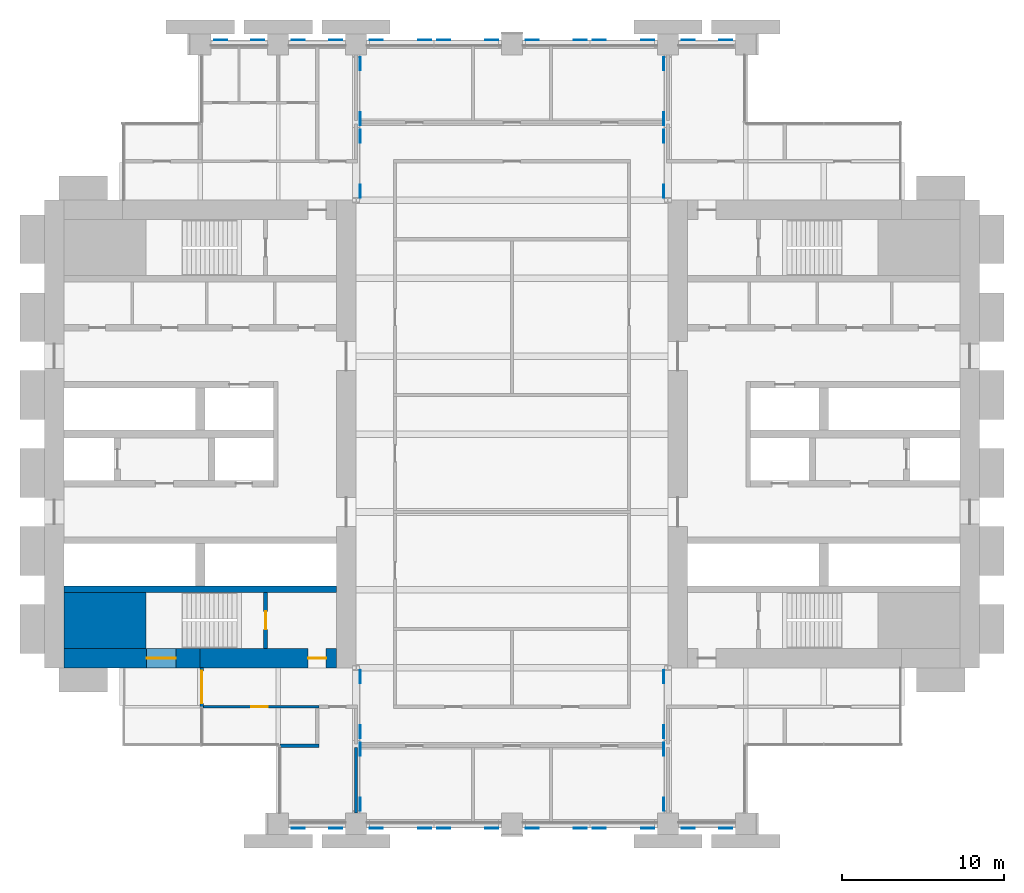
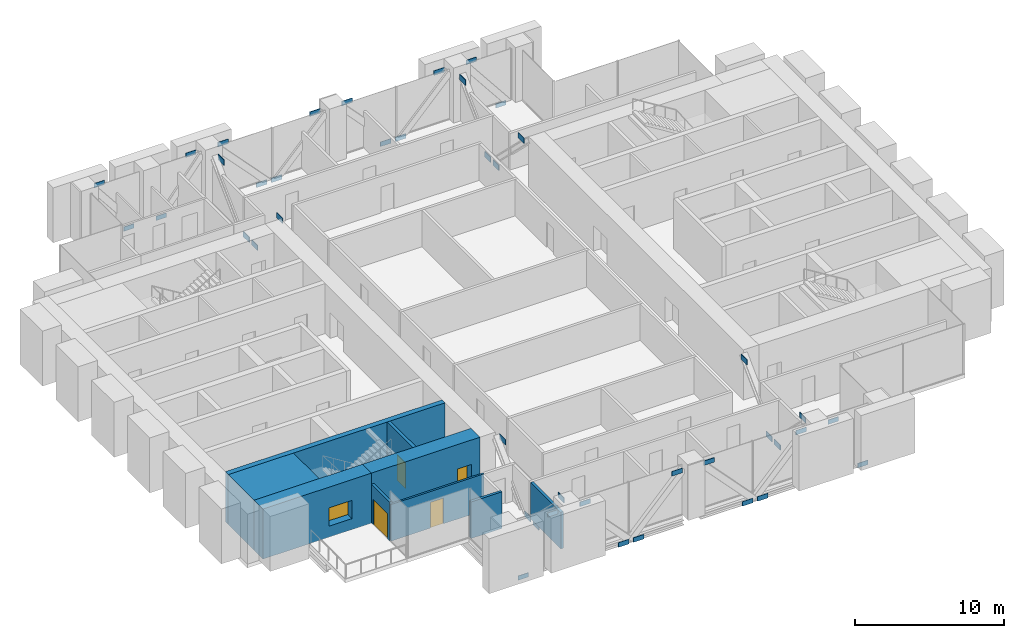
# One storey, part 10 of 15: 42 plates, 9 walls, 4 doors, 1 window, 5 openings.
"""IFC4 building model written with IfcOpenShell, lengths in metres."""

from ifc_helpers import new_model, si_unit, direction, frame, frame_2d, origin, place, context, subcontext, project, spatial, polyline, rectangle, outline, extrude, material, layer, layer_set, type_object, element, fill, save


model = new_model("IFC4")

# Units and contexts
model_context = context("Model", 3, precision=1e-05, world=origin(), true_north=direction((0.0, 1.0)))
body_context = subcontext(model_context, "Body", "Model", "MODEL_VIEW")
ifc_project = project(units=[si_unit("LENGTHUNIT", "METRE"), si_unit("AREAUNIT", "SQUARE_METRE"), si_unit("VOLUMEUNIT", "CUBIC_METRE"), si_unit("PLANEANGLEUNIT", "RADIAN"), si_unit("MASSUNIT", "GRAM", prefix="KILO")], contexts=[model_context])

# Site, building, storey
site_placement = place(None, origin())
site = spatial("IfcSite", under=ifc_project, at=site_placement, CompositionType="ELEMENT")
building_placement = place(site_placement, origin())
building = spatial("IfcBuilding", under=site, at=building_placement, Name="Baori Bourse Tower", CompositionType="ELEMENT")
storey_placement = place(building_placement, frame((0.0, 0.0, 87.0)))
storey = spatial("IfcBuildingStorey", under=building, at=storey_placement, Name="L19", CompositionType="ELEMENT", Elevation=87.0)

# Plates
ifc_material_1 = material(Name="Steel A572 Gr 50", Category="steel")
ifc_layer_1 = layer(ifc_material_1, 0.0400390625)
ifc_layer_set_1 = layer_set([ifc_layer_1], Name="Gusset plate 40")
plate_type_1 = type_object("IfcPlateType", Name="Gusset plate 40", PredefinedType="SHEET", material=ifc_layer_set_1)
plate_1_placement = place(storey_placement, frame((0.0, 0.0, -0.657470703125)))
element("IfcPlate", 1, at=plate_1_placement, inside=storey, type_object=plate_type_1, Name="Gusset plate", PredefinedType="SHEET", context=body_context, shape_type="SweptSolid", body=[
    extrude(outline(polyline([(15.248779296875, -0.2939453125), (16.048828125, -0.2939453125), (16.048828125, -0.25390625), (15.248779296875, -0.25390625), (15.248779296875, -0.2939453125)])), origin(), (0.0, 0.0, 1.0), 0.357421875),
])
plate_2_placement = place(storey_placement, frame((0.0, 0.0, 3.701171875)))
element("IfcPlate", 2, at=plate_2_placement, inside=storey, type_object=plate_type_1, Name="Gusset plate", PredefinedType="SHEET", context=body_context, shape_type="SweptSolid", body=[
    extrude(outline(polyline([(17.55126953125, -0.2939453125), (18.351318359375, -0.2939453125), (18.351318359375, -0.25390625), (17.55126953125, -0.25390625), (17.55126953125, -0.2939453125)])), origin(), (0.0, 0.0, 1.0), 0.357666015625),
])
plate_3_placement = place(storey_placement, frame((0.0, 0.0, 3.701171875)))
element("IfcPlate", 3, at=plate_3_placement, inside=storey, type_object=plate_type_1, Name="Gusset plate", PredefinedType="SHEET", context=body_context, shape_type="SweptSolid", body=[
    extrude(outline(polyline([(20.03466796875, -0.2939453125), (20.834716796875, -0.2939453125), (20.834716796875, -0.25390625), (20.03466796875, -0.25390625), (20.03466796875, -0.2939453125)])), origin(), (0.0, 0.0, 1.0), 0.373779296875),
])
plate_4_placement = place(storey_placement, frame((0.0, 0.0, -0.673583984375)))
element("IfcPlate", 4, at=plate_4_placement, inside=storey, type_object=plate_type_1, Name="Gusset plate", PredefinedType="SHEET", context=body_context, shape_type="SweptSolid", body=[
    extrude(outline(polyline([(23.01513671875, -0.2939453125), (23.815185546875, -0.2939453125), (23.815185546875, -0.25390625), (23.01513671875, -0.25390625), (23.01513671875, -0.2939453125)])), origin(), (0.0, 0.0, 1.0), 0.37353515625),
])
plate_5_placement = place(storey_placement, frame((0.0, 0.0, -0.673583984375)))
element("IfcPlate", 5, at=plate_5_placement, inside=storey, type_object=plate_type_1, Name="Gusset plate", PredefinedType="SHEET", context=body_context, shape_type="SweptSolid", body=[
    extrude(outline(polyline([(24.184814453125, -0.2939453125), (24.98486328125, -0.2939453125), (24.98486328125, -0.25390625), (24.184814453125, -0.25390625), (24.184814453125, -0.2939453125)])), origin(), (0.0, 0.0, 1.0), 0.37353515625),
])
plate_6_placement = place(storey_placement, frame((0.0, 0.0, 3.701171875)))
element("IfcPlate", 6, at=plate_6_placement, inside=storey, type_object=plate_type_1, Name="Gusset plate", PredefinedType="SHEET", context=body_context, shape_type="SweptSolid", body=[
    extrude(outline(polyline([(27.165283203125, -0.2939453125), (27.96533203125, -0.2939453125), (27.96533203125, -0.25390625), (27.165283203125, -0.25390625), (27.165283203125, -0.2939453125)])), origin(), (0.0, 0.0, 1.0), 0.373779296875),
])
plate_7_placement = place(storey_placement, frame((0.0, 0.0, 3.701171875)))
element("IfcPlate", 7, at=plate_7_placement, inside=storey, type_object=plate_type_1, Name="Gusset plate", PredefinedType="SHEET", context=body_context, shape_type="SweptSolid", body=[
    extrude(outline(polyline([(29.634765625, -0.2939453125), (30.434814453125, -0.2939453125), (30.434814453125, -0.25390625), (29.634765625, -0.25390625), (29.634765625, -0.2939453125)])), origin(), (0.0, 0.0, 1.0), 0.373779296875),
])
plate_8_placement = place(storey_placement, frame((0.0, 0.0, -0.673583984375)))
element("IfcPlate", 8, at=plate_8_placement, inside=storey, type_object=plate_type_1, Name="Gusset plate", PredefinedType="SHEET", context=body_context, shape_type="SweptSolid", body=[
    extrude(outline(polyline([(32.615234375, -0.2939453125), (33.415283203125, -0.2939453125), (33.415283203125, -0.25390625), (32.615234375, -0.25390625), (32.615234375, -0.2939453125)])), origin(), (0.0, 0.0, 1.0), 0.37353515625),
])
plate_9_placement = place(storey_placement, frame((0.0, 0.0, -0.673583984375)))
element("IfcPlate", 9, at=plate_9_placement, inside=storey, type_object=plate_type_1, Name="Gusset plate", PredefinedType="SHEET", context=body_context, shape_type="SweptSolid", body=[
    extrude(outline(polyline([(33.78466796875, -0.2939453125), (34.584716796875, -0.2939453125), (34.584716796875, -0.25390625), (33.78466796875, -0.25390625), (33.78466796875, -0.2939453125)])), origin(), (0.0, 0.0, 1.0), 0.37353515625),
])
plate_10_placement = place(storey_placement, frame((0.0, 0.0, 3.701171875)))
element("IfcPlate", 10, at=plate_10_placement, inside=storey, type_object=plate_type_1, Name="Gusset plate", PredefinedType="SHEET", context=body_context, shape_type="SweptSolid", body=[
    extrude(outline(polyline([(36.76513671875, -0.2939453125), (37.565185546875, -0.2939453125), (37.565185546875, -0.25390625), (36.76513671875, -0.25390625), (36.76513671875, -0.2939453125)])), origin(), (0.0, 0.0, 1.0), 0.373779296875),
])
plate_11_placement = place(storey_placement, frame((0.0, 0.0, 3.701171875)))
element("IfcPlate", 11, at=plate_11_placement, inside=storey, type_object=plate_type_1, Name="Gusset plate", PredefinedType="SHEET", context=body_context, shape_type="SweptSolid", body=[
    extrude(outline(polyline([(39.248779296875, -0.2939453125), (40.048828125, -0.2939453125), (40.048828125, -0.25390625), (39.248779296875, -0.25390625), (39.248779296875, -0.2939453125)])), origin(), (0.0, 0.0, 1.0), 0.357666015625),
])
plate_12_placement = place(storey_placement, frame((0.0, 0.0, -0.657470703125)))
element("IfcPlate", 12, at=plate_12_placement, inside=storey, type_object=plate_type_1, Name="Gusset plate", PredefinedType="SHEET", context=body_context, shape_type="SweptSolid", body=[
    extrude(outline(polyline([(41.55126953125, -0.2939453125), (42.351318359375, -0.2939453125), (42.351318359375, -0.25390625), (41.55126953125, -0.25390625), (41.55126953125, -0.2939453125)])), origin(), (0.0, 0.0, 1.0), 0.357421875),
])
plate_13_placement = place(storey_placement, frame((0.0, 0.0, 3.701171875)))
element("IfcPlate", 13, at=plate_13_placement, inside=storey, type_object=plate_type_1, Name="Gusset plate", PredefinedType="SHEET", context=body_context, shape_type="SweptSolid", body=[
    extrude(outline(polyline([(10.44873046875, 48.25390625), (11.248779296875, 48.25390625), (11.248779296875, 48.2939453125), (10.44873046875, 48.2939453125), (10.44873046875, 48.25390625)])), origin(), (0.0, 0.0, 1.0), 0.357666015625),
])
plate_14_placement = place(storey_placement, frame((0.0, 0.0, -0.657470703125)))
element("IfcPlate", 14, at=plate_14_placement, inside=storey, type_object=plate_type_1, Name="Gusset plate", PredefinedType="SHEET", context=body_context, shape_type="SweptSolid", body=[
    extrude(outline(polyline([(12.751220703125, 48.25390625), (13.55126953125, 48.25390625), (13.55126953125, 48.2939453125), (12.751220703125, 48.2939453125), (12.751220703125, 48.25390625)])), origin(), (0.0, 0.0, 1.0), 0.357421875),
])
plate_15_placement = place(storey_placement, frame((0.0, 0.0, -0.657470703125)))
element("IfcPlate", 15, at=plate_15_placement, inside=storey, type_object=plate_type_1, Name="Gusset plate", PredefinedType="SHEET", context=body_context, shape_type="SweptSolid", body=[
    extrude(outline(polyline([(15.248779296875, 48.25390625), (16.048828125, 48.25390625), (16.048828125, 48.2939453125), (15.248779296875, 48.2939453125), (15.248779296875, 48.25390625)])), origin(), (0.0, 0.0, 1.0), 0.357421875),
])
plate_16_placement = place(storey_placement, frame((0.0, 0.0, 3.701171875)))
element("IfcPlate", 16, at=plate_16_placement, inside=storey, type_object=plate_type_1, Name="Gusset plate", PredefinedType="SHEET", context=body_context, shape_type="SweptSolid", body=[
    extrude(outline(polyline([(17.55126953125, 48.25390625), (18.351318359375, 48.25390625), (18.351318359375, 48.2939453125), (17.55126953125, 48.2939453125), (17.55126953125, 48.25390625)])), origin(), (0.0, 0.0, 1.0), 0.357666015625),
])
plate_17_placement = place(storey_placement, frame((0.0, 0.0, 3.701171875)))
element("IfcPlate", 17, at=plate_17_placement, inside=storey, type_object=plate_type_1, Name="Gusset plate", PredefinedType="SHEET", context=body_context, shape_type="SweptSolid", body=[
    extrude(outline(polyline([(20.03466796875, 48.25390625), (20.834716796875, 48.25390625), (20.834716796875, 48.2939453125), (20.03466796875, 48.2939453125), (20.03466796875, 48.25390625)])), origin(), (0.0, 0.0, 1.0), 0.373779296875),
])
plate_18_placement = place(storey_placement, frame((0.0, 0.0, -0.673583984375)))
element("IfcPlate", 18, at=plate_18_placement, inside=storey, type_object=plate_type_1, Name="Gusset plate", PredefinedType="SHEET", context=body_context, shape_type="SweptSolid", body=[
    extrude(outline(polyline([(23.01513671875, 48.25390625), (23.815185546875, 48.25390625), (23.815185546875, 48.2939453125), (23.01513671875, 48.2939453125), (23.01513671875, 48.25390625)])), origin(), (0.0, 0.0, 1.0), 0.37353515625),
])
plate_19_placement = place(storey_placement, frame((0.0, 0.0, -0.673583984375)))
element("IfcPlate", 19, at=plate_19_placement, inside=storey, type_object=plate_type_1, Name="Gusset plate", PredefinedType="SHEET", context=body_context, shape_type="SweptSolid", body=[
    extrude(outline(polyline([(24.184814453125, 48.25390625), (24.98486328125, 48.25390625), (24.98486328125, 48.2939453125), (24.184814453125, 48.2939453125), (24.184814453125, 48.25390625)])), origin(), (0.0, 0.0, 1.0), 0.37353515625),
])
plate_20_placement = place(storey_placement, frame((0.0, 0.0, 3.701171875)))
element("IfcPlate", 20, at=plate_20_placement, inside=storey, type_object=plate_type_1, Name="Gusset plate", PredefinedType="SHEET", context=body_context, shape_type="SweptSolid", body=[
    extrude(outline(polyline([(27.165283203125, 48.25390625), (27.96533203125, 48.25390625), (27.96533203125, 48.2939453125), (27.165283203125, 48.2939453125), (27.165283203125, 48.25390625)])), origin(), (0.0, 0.0, 1.0), 0.373779296875),
])
plate_21_placement = place(storey_placement, frame((0.0, 0.0, 3.701171875)))
element("IfcPlate", 21, at=plate_21_placement, inside=storey, type_object=plate_type_1, Name="Gusset plate", PredefinedType="SHEET", context=body_context, shape_type="SweptSolid", body=[
    extrude(outline(polyline([(29.634765625, 48.25390625), (30.434814453125, 48.25390625), (30.434814453125, 48.2939453125), (29.634765625, 48.2939453125), (29.634765625, 48.25390625)])), origin(), (0.0, 0.0, 1.0), 0.373779296875),
])
plate_22_placement = place(storey_placement, frame((0.0, 0.0, -0.673583984375)))
element("IfcPlate", 22, at=plate_22_placement, inside=storey, type_object=plate_type_1, Name="Gusset plate", PredefinedType="SHEET", context=body_context, shape_type="SweptSolid", body=[
    extrude(outline(polyline([(32.615234375, 48.25390625), (33.415283203125, 48.25390625), (33.415283203125, 48.2939453125), (32.615234375, 48.2939453125), (32.615234375, 48.25390625)])), origin(), (0.0, 0.0, 1.0), 0.37353515625),
])
plate_23_placement = place(storey_placement, frame((0.0, 0.0, -0.673583984375)))
element("IfcPlate", 23, at=plate_23_placement, inside=storey, type_object=plate_type_1, Name="Gusset plate", PredefinedType="SHEET", context=body_context, shape_type="SweptSolid", body=[
    extrude(outline(polyline([(33.78466796875, 48.25390625), (34.584716796875, 48.25390625), (34.584716796875, 48.2939453125), (33.78466796875, 48.2939453125), (33.78466796875, 48.25390625)])), origin(), (0.0, 0.0, 1.0), 0.37353515625),
])
plate_24_placement = place(storey_placement, frame((0.0, 0.0, 3.701171875)))
element("IfcPlate", 24, at=plate_24_placement, inside=storey, type_object=plate_type_1, Name="Gusset plate", PredefinedType="SHEET", context=body_context, shape_type="SweptSolid", body=[
    extrude(outline(polyline([(36.76513671875, 48.25390625), (37.565185546875, 48.25390625), (37.565185546875, 48.2939453125), (36.76513671875, 48.2939453125), (36.76513671875, 48.25390625)])), origin(), (0.0, 0.0, 1.0), 0.373779296875),
])
plate_25_placement = place(storey_placement, frame((0.0, 0.0, 3.701171875)))
element("IfcPlate", 25, at=plate_25_placement, inside=storey, type_object=plate_type_1, Name="Gusset plate", PredefinedType="SHEET", context=body_context, shape_type="SweptSolid", body=[
    extrude(outline(polyline([(39.248779296875, 48.25390625), (40.048828125, 48.25390625), (40.048828125, 48.2939453125), (39.248779296875, 48.2939453125), (39.248779296875, 48.25390625)])), origin(), (0.0, 0.0, 1.0), 0.357666015625),
])
plate_26_placement = place(storey_placement, frame((0.0, 0.0, -0.657470703125)))
element("IfcPlate", 26, at=plate_26_placement, inside=storey, type_object=plate_type_1, Name="Gusset plate", PredefinedType="SHEET", context=body_context, shape_type="SweptSolid", body=[
    extrude(outline(polyline([(41.55126953125, 48.25390625), (42.351318359375, 48.25390625), (42.351318359375, 48.2939453125), (41.55126953125, 48.2939453125), (41.55126953125, 48.25390625)])), origin(), (0.0, 0.0, 1.0), 0.357421875),
])
ifc_material_2 = material(Name="Steel A572 Gr 50", Category="steel")
ifc_layer_2 = layer(ifc_material_2, 0.050048828125)
ifc_layer_set_2 = layer_set([ifc_layer_2], Name="Gusset plate 50")
plate_type_2 = type_object("IfcPlateType", Name="Gusset plate 50", PredefinedType="SHEET", material=ifc_layer_set_2)
plate_27_placement = place(storey_placement, frame((0.0, 0.0, 3.531005859375)))
element("IfcPlate", 27, at=plate_27_placement, inside=storey, type_object=plate_type_2, Name="Gusset plate", PredefinedType="SHEET", context=body_context, shape_type="SweptSolid", body=[
    extrude(outline(polyline([(19.42724609375, 0.796875), (19.477294921875, 0.796875), (19.477294921875, 1.596923828125), (19.42724609375, 1.596923828125), (19.42724609375, 0.796875)])), origin(), (0.0, 0.0, 1.0), 0.433837890625),
])
plate_28_placement = place(storey_placement, frame((0.0, 0.0, -0.73388671875)))
element("IfcPlate", 28, at=plate_28_placement, inside=storey, type_object=plate_type_2, Name="Gusset plate", PredefinedType="SHEET", context=body_context, shape_type="SweptSolid", body=[
    extrude(outline(polyline([(19.42724609375, 4.177978515625), (19.477294921875, 4.177978515625), (19.477294921875, 4.97802734375), (19.42724609375, 4.97802734375), (19.42724609375, 4.177978515625)])), origin(), (0.0, 0.0, 1.0), 0.433837890625),
])
plate_29_placement = place(storey_placement, frame((0.0, 0.0, -0.73388671875)))
element("IfcPlate", 29, at=plate_29_placement, inside=storey, type_object=plate_type_2, Name="Gusset plate", PredefinedType="SHEET", context=body_context, shape_type="SweptSolid", body=[
    extrude(outline(polyline([(19.42724609375, 5.27197265625), (19.477294921875, 5.27197265625), (19.477294921875, 6.072021484375), (19.42724609375, 6.072021484375), (19.42724609375, 5.27197265625)])), origin(), (0.0, 0.0, 1.0), 0.433837890625),
])
plate_30_placement = place(storey_placement, frame((0.0, 0.0, 3.531005859375)))
element("IfcPlate", 30, at=plate_30_placement, inside=storey, type_object=plate_type_2, Name="Gusset plate", PredefinedType="SHEET", context=body_context, shape_type="SweptSolid", body=[
    extrude(outline(polyline([(19.42724609375, 8.653076171875), (19.477294921875, 8.653076171875), (19.477294921875, 9.453125), (19.42724609375, 9.453125), (19.42724609375, 8.653076171875)])), origin(), (0.0, 0.0, 1.0), 0.433837890625),
])
plate_31_placement = place(storey_placement, frame((0.0, 0.0, 3.531005859375)))
element("IfcPlate", 31, at=plate_31_placement, inside=storey, type_object=plate_type_2, Name="Gusset plate", PredefinedType="SHEET", context=body_context, shape_type="SweptSolid", body=[
    extrude(outline(polyline([(19.42724609375, 38.546875), (19.477294921875, 38.546875), (19.477294921875, 39.346923828125), (19.42724609375, 39.346923828125), (19.42724609375, 38.546875)])), origin(), (0.0, 0.0, 1.0), 0.433837890625),
])
plate_32_placement = place(storey_placement, frame((0.0, 0.0, -0.73388671875)))
element("IfcPlate", 32, at=plate_32_placement, inside=storey, type_object=plate_type_2, Name="Gusset plate", PredefinedType="SHEET", context=body_context, shape_type="SweptSolid", body=[
    extrude(outline(polyline([(19.42724609375, 41.927978515625), (19.477294921875, 41.927978515625), (19.477294921875, 42.72802734375), (19.42724609375, 42.72802734375), (19.42724609375, 41.927978515625)])), origin(), (0.0, 0.0, 1.0), 0.433837890625),
])
plate_33_placement = place(storey_placement, frame((0.0, 0.0, -0.73388671875)))
element("IfcPlate", 33, at=plate_33_placement, inside=storey, type_object=plate_type_2, Name="Gusset plate", PredefinedType="SHEET", context=body_context, shape_type="SweptSolid", body=[
    extrude(outline(polyline([(19.42724609375, 43.02197265625), (19.477294921875, 43.02197265625), (19.477294921875, 43.822021484375), (19.42724609375, 43.822021484375), (19.42724609375, 43.02197265625)])), origin(), (0.0, 0.0, 1.0), 0.433837890625),
])
plate_34_placement = place(storey_placement, frame((0.0, 0.0, 3.531005859375)))
element("IfcPlate", 34, at=plate_34_placement, inside=storey, type_object=plate_type_2, Name="Gusset plate", PredefinedType="SHEET", context=body_context, shape_type="SweptSolid", body=[
    extrude(outline(polyline([(19.42724609375, 46.403076171875), (19.477294921875, 46.403076171875), (19.477294921875, 47.203125), (19.42724609375, 47.203125), (19.42724609375, 46.403076171875)])), origin(), (0.0, 0.0, 1.0), 0.433837890625),
])
plate_35_placement = place(storey_placement, frame((0.0, 0.0, 3.531005859375)))
element("IfcPlate", 35, at=plate_35_placement, inside=storey, type_object=plate_type_2, Name="Gusset plate", PredefinedType="SHEET", context=body_context, shape_type="SweptSolid", body=[
    extrude(outline(polyline([(38.12255859375, 0.796875), (38.172607421875, 0.796875), (38.172607421875, 1.596923828125), (38.12255859375, 1.596923828125), (38.12255859375, 0.796875)])), origin(), (0.0, 0.0, 1.0), 0.433837890625),
])
plate_36_placement = place(storey_placement, frame((0.0, 0.0, -0.73388671875)))
element("IfcPlate", 36, at=plate_36_placement, inside=storey, type_object=plate_type_2, Name="Gusset plate", PredefinedType="SHEET", context=body_context, shape_type="SweptSolid", body=[
    extrude(outline(polyline([(38.12255859375, 4.177978515625), (38.172607421875, 4.177978515625), (38.172607421875, 4.97802734375), (38.12255859375, 4.97802734375), (38.12255859375, 4.177978515625)])), origin(), (0.0, 0.0, 1.0), 0.433837890625),
])
plate_37_placement = place(storey_placement, frame((0.0, 0.0, -0.73388671875)))
element("IfcPlate", 37, at=plate_37_placement, inside=storey, type_object=plate_type_2, Name="Gusset plate", PredefinedType="SHEET", context=body_context, shape_type="SweptSolid", body=[
    extrude(outline(polyline([(38.12255859375, 5.27197265625), (38.172607421875, 5.27197265625), (38.172607421875, 6.072021484375), (38.12255859375, 6.072021484375), (38.12255859375, 5.27197265625)])), origin(), (0.0, 0.0, 1.0), 0.433837890625),
])
plate_38_placement = place(storey_placement, frame((0.0, 0.0, 3.531005859375)))
element("IfcPlate", 38, at=plate_38_placement, inside=storey, type_object=plate_type_2, Name="Gusset plate", PredefinedType="SHEET", context=body_context, shape_type="SweptSolid", body=[
    extrude(outline(polyline([(38.12255859375, 8.653076171875), (38.172607421875, 8.653076171875), (38.172607421875, 9.453125), (38.12255859375, 9.453125), (38.12255859375, 8.653076171875)])), origin(), (0.0, 0.0, 1.0), 0.433837890625),
])
plate_39_placement = place(storey_placement, frame((0.0, 0.0, 3.531005859375)))
element("IfcPlate", 39, at=plate_39_placement, inside=storey, type_object=plate_type_2, Name="Gusset plate", PredefinedType="SHEET", context=body_context, shape_type="SweptSolid", body=[
    extrude(outline(polyline([(38.12255859375, 38.546875), (38.172607421875, 38.546875), (38.172607421875, 39.346923828125), (38.12255859375, 39.346923828125), (38.12255859375, 38.546875)])), origin(), (0.0, 0.0, 1.0), 0.433837890625),
])
plate_40_placement = place(storey_placement, frame((0.0, 0.0, -0.73388671875)))
element("IfcPlate", 40, at=plate_40_placement, inside=storey, type_object=plate_type_2, Name="Gusset plate", PredefinedType="SHEET", context=body_context, shape_type="SweptSolid", body=[
    extrude(outline(polyline([(38.12255859375, 41.927978515625), (38.172607421875, 41.927978515625), (38.172607421875, 42.72802734375), (38.12255859375, 42.72802734375), (38.12255859375, 41.927978515625)])), origin(), (0.0, 0.0, 1.0), 0.433837890625),
])
plate_41_placement = place(storey_placement, frame((0.0, 0.0, -0.73388671875)))
element("IfcPlate", 41, at=plate_41_placement, inside=storey, type_object=plate_type_2, Name="Gusset plate", PredefinedType="SHEET", context=body_context, shape_type="SweptSolid", body=[
    extrude(outline(polyline([(38.12255859375, 43.02197265625), (38.172607421875, 43.02197265625), (38.172607421875, 43.822021484375), (38.12255859375, 43.822021484375), (38.12255859375, 43.02197265625)])), origin(), (0.0, 0.0, 1.0), 0.433837890625),
])
plate_42_placement = place(storey_placement, frame((0.0, 0.0, 3.531005859375)))
element("IfcPlate", 42, at=plate_42_placement, inside=storey, type_object=plate_type_2, Name="Gusset plate", PredefinedType="SHEET", context=body_context, shape_type="SweptSolid", body=[
    extrude(outline(polyline([(38.12255859375, 46.403076171875), (38.172607421875, 46.403076171875), (38.172607421875, 47.203125), (38.12255859375, 47.203125), (38.12255859375, 46.403076171875)])), origin(), (0.0, 0.0, 1.0), 0.433837890625),
])

# Wall
ifc_material_3 = material(Name="Concrete f'c 70 MPa", Category="concrete")
wall_type_1 = type_object("IfcWallType", Name="Core corner block f'c 70", PredefinedType="SHEAR", material=ifc_material_3)
wall_1_placement = place(storey_placement, frame((1.199951171875, 12.52490234375, 0.0), z_axis=(0.0, 0.0, 1.0), x_axis=(1.0, 0.0, 0.0)))
element("IfcWall", 43, at=wall_1_placement, inside=storey, type_object=wall_type_1, Name="Core wall W05", PredefinedType="SHEAR", context=body_context, shape_type="SweptSolid", body=[
    extrude(rectangle(XDim=5.050048828125, YDim=3.449951171875, at=frame_2d((2.52490234375, 0.0))), origin(), (0.0, 0.0, 1.0), 4.10009765625),
])

# Wall, opening, window
ifc_material_4 = material(Name="Concrete f'c 70 MPa", Category="concrete")
ifc_layer_3 = layer(ifc_material_4, 1.199951171875)
ifc_layer_set_3 = layer_set([ifc_layer_3], Name="Core wall 1200 f'c 70")
wall_type_2 = type_object("IfcWallType", Name="Core wall 1200 f'c 70", PredefinedType="SHEAR", material=ifc_layer_set_3)
wall_2_placement = place(storey_placement, frame((9.60009765625, 10.199951171875, 0.0), z_axis=(0.0, 0.0, 1.0), x_axis=(-1.0, 0.0, 0.0)))
wall_2 = element("IfcWall", 44, at=wall_2_placement, inside=storey, type_object=wall_type_2, Name="Core wall W02", PredefinedType="SHEAR", context=body_context, shape_type="SweptSolid", body=[
    extrude(rectangle(XDim=8.400146484375, YDim=1.199951171875, at=frame_2d((4.2001953125, 0.0))), origin(), (0.0, 0.0, 1.0), 4.10009765625),
])
opening_1_placement = place(wall_2_placement, frame((1.5, 0.0, 0.89990234375)))
opening_1 = element("IfcOpeningElement", 45, at=opening_1_placement, cuts=wall_2, Name="Opening L19-KW103", PredefinedType="OPENING", context=body_context, shape_type="SweptSolid", body=[
    extrude(rectangle(XDim=1.800048828125, YDim=1.5, at=frame_2d((0.89990234375, 0.75))), frame((0.0, 0.60986328125, 0.0), z_axis=(0.0, -1.0, 0.0), x_axis=(1.0, 0.0, 0.0)), (0.0, 0.0, 1.0), 1.219970703125),
])
ifc_material_5 = material(Name="Pale anodised aluminium", Category="aluminium")
window_type = type_object("IfcWindowType", Name="Stair window 1800 x 1500", PartitioningType="SINGLE_PANEL", PredefinedType="WINDOW", material=ifc_material_5)
window_placement = place(opening_1_placement, origin())
window = element("IfcWindow", 46, at=window_placement, inside=storey, type_object=window_type, Name="Stair window W L19 3", OverallHeight=1.5, OverallWidth=1.800048828125, PartitioningType="SINGLE_PANEL", PredefinedType="WINDOW", context=body_context, shape_type="SweptSolid", body=[
    extrude(rectangle(XDim=1.800048828125, YDim=1.5, at=frame_2d((0.89990234375, 0.75))), frame((0.0, 0.030029296875, 0.0), z_axis=(0.0, -1.0, 0.0), x_axis=(1.0, 0.0, 0.0)), (0.0, 0.0, 1.0), 0.06005859375),
])
fill(opening_1, window)

# Wall, opening, door
wall_3_placement = place(storey_placement, frame((18.0, 10.199951171875, 0.0), z_axis=(0.0, 0.0, 1.0), x_axis=(-1.0, 0.0, 0.0)))
wall_3 = element("IfcWall", 47, at=wall_3_placement, inside=storey, type_object=wall_type_2, Name="Core wall W03", PredefinedType="SHEAR", context=body_context, shape_type="SweptSolid", body=[
    extrude(rectangle(XDim=8.39990234375, YDim=1.199951171875, at=frame_2d((4.199951171875, 0.0))), origin(), (0.0, 0.0, 1.0), 4.10009765625),
])
opening_2_placement = place(wall_3_placement, frame((0.64990234375, 0.0, 0.0)))
opening_2 = element("IfcOpeningElement", 48, at=opening_2_placement, cuts=wall_3, Name="Opening L19-D102", PredefinedType="OPENING", context=body_context, shape_type="SweptSolid", body=[
    extrude(rectangle(XDim=1.10009765625, YDim=2.10009765625, at=frame_2d((0.550048828125, 1.050048828125))), frame((0.0, 0.60986328125, 0.0), z_axis=(0.0, -1.0, 0.0), x_axis=(1.0, 0.0, 0.0)), (0.0, 0.0, 1.0), 1.219970703125),
])
ifc_material_6 = material(Name="Painted steel door", Category="steel")
door_type_1 = type_object("IfcDoorType", Name="Stair door 1100", OperationType="SINGLE_SWING_LEFT", PredefinedType="DOOR", material=ifc_material_6)
door_1_placement = place(opening_2_placement, origin())
door_1 = element("IfcDoor", 49, at=door_1_placement, inside=storey, type_object=door_type_1, Name="Stair vestibule door A W L19", OperationType="SINGLE_SWING_LEFT", OverallHeight=2.10009765625, OverallWidth=1.10009765625, PredefinedType="DOOR", context=body_context, shape_type="SweptSolid", body=[
    extrude(rectangle(XDim=1.10009765625, YDim=2.10009765625, at=frame_2d((0.550048828125, 1.050048828125))), frame((0.0, 0.02490234375, 0.0), z_axis=(0.0, -1.0, 0.0), x_axis=(1.0, 0.0, 0.0)), (0.0, 0.0, 1.0), 0.050048828125),
])
fill(opening_2, door_1)

ifc_material_7 = material(Name="Gypsum board partition")
ifc_layer_4 = layer(ifc_material_7, 0.14990234375)
ifc_layer_set_4 = layer_set([ifc_layer_4], Name="Corridor partition 150")
wall_type_3 = type_object("IfcWallType", Name="Corridor partition 150", PredefinedType="PARTITIONING", material=ifc_layer_set_4)
wall_4_placement = place(storey_placement, frame((9.699951171875, 7.199951171875, 0.0), z_axis=(0.0, 0.0, 1.0), x_axis=(1.0, 0.0, 0.0)))
wall_4 = element("IfcWall", 50, at=wall_4_placement, inside=storey, type_object=wall_type_3, Name="Partition", PredefinedType="PARTITIONING", context=body_context, shape_type="SweptSolid", body=[
    extrude(rectangle(XDim=7.199951171875, YDim=0.14990234375, at=frame_2d((3.60009765625, 0.0))), origin(), (0.0, 0.0, 1.0), 2.99267578125),
])
opening_3_placement = place(wall_4_placement, frame((3.050048828125, 0.0, 0.0)))
opening_3 = element("IfcOpeningElement", 51, at=opening_3_placement, cuts=wall_4, Name="Opening L19-D04", PredefinedType="OPENING", context=body_context, shape_type="SweptSolid", body=[
    extrude(rectangle(XDim=1.0, YDim=2.10009765625, at=frame_2d((0.5, 1.050048828125))), frame((0.0, 0.0849609375, 0.0), z_axis=(0.0, -1.0, 0.0), x_axis=(1.0, 0.0, 0.0)), (0.0, 0.0, 1.0), 0.169921875),
])
ifc_material_8 = material(Name="Timber door leaf", Category="wood")
door_type_2 = type_object("IfcDoorType", Name="Door 1000 x 2100", OperationType="SINGLE_SWING_LEFT", PredefinedType="DOOR", material=ifc_material_8)
door_2_placement = place(opening_3_placement, origin())
door_2 = element("IfcDoor", 52, at=door_2_placement, inside=storey, type_object=door_type_2, Name="Door", OperationType="SINGLE_SWING_LEFT", OverallHeight=2.10009765625, OverallWidth=1.0, PredefinedType="DOOR", context=body_context, shape_type="SweptSolid", body=[
    extrude(rectangle(XDim=1.0, YDim=2.10009765625, at=frame_2d((0.5, 1.050048828125))), frame((0.0, 0.02490234375, 0.0), z_axis=(0.0, -1.0, 0.0), x_axis=(1.0, 0.0, 0.0)), (0.0, 0.0, 1.0), 0.050048828125),
])
fill(opening_3, door_2)

ifc_material_9 = material(Name="Pale anodised aluminium", Category="aluminium")
ifc_layer_5 = layer(ifc_material_9, 0.199951171875)
ifc_layer_set_5 = layer_set([ifc_layer_5], Name="EW1 External wall bay")
wall_type_4 = type_object("IfcWallType", Name="EW1 External wall bay", PredefinedType="SOLIDWALL", material=ifc_layer_set_5)
wall_5_placement = place(storey_placement, frame((9.699951171875, 9.610107421875, 0.0), z_axis=(0.0, 0.0, 1.0), x_axis=(0.0, -1.0, 0.0)))
wall_5 = element("IfcWall", 53, at=wall_5_placement, inside=storey, type_object=wall_type_4, Name="External wall bay L19 1", PredefinedType="SOLIDWALL", context=body_context, shape_type="SweptSolid", body=[
    extrude(rectangle(XDim=2.41015625, YDim=0.199951171875, at=frame_2d((1.205078125, 0.0))), origin(), (0.0, 0.0, 1.0), 3.19580078125),
])
opening_4_placement = place(wall_5_placement, frame((0.199951171875, 0.0, 0.0)))
opening_4 = element("IfcOpeningElement", 54, at=opening_4_placement, cuts=wall_5, Name="Opening L19-D91", PredefinedType="OPENING", context=body_context, shape_type="SweptSolid", body=[
    extrude(rectangle(XDim=2.0, YDim=2.10009765625, at=frame_2d((1.0, 1.050048828125))), frame((0.0, 0.10986328125, 0.0), z_axis=(0.0, -1.0, 0.0), x_axis=(1.0, 0.0, 0.0)), (0.0, 0.0, 1.0), 0.219970703125),
])
ifc_material_10 = material(Name="Pale anodised aluminium", Category="aluminium")
door_type_3 = type_object("IfcDoorType", Name="TR1 Terrace door", OperationType="DOUBLE_DOOR_SINGLE_SWING", PredefinedType="DOOR", material=ifc_material_10)
door_3_placement = place(opening_4_placement, origin())
door_3 = element("IfcDoor", 55, at=door_3_placement, inside=storey, type_object=door_type_3, Name="Terrace door L19 1", OperationType="SINGLE_SWING_LEFT", OverallHeight=2.10009765625, OverallWidth=2.0, PredefinedType="DOOR", context=body_context, shape_type="SweptSolid", body=[
    extrude(rectangle(XDim=2.0, YDim=2.10009765625, at=frame_2d((1.0, 1.050048828125))), frame((0.0, 0.02490234375, 0.0), z_axis=(0.0, -1.0, 0.0), x_axis=(1.0, 0.0, 0.0)), (0.0, 0.0, 1.0), 0.050048828125),
])
fill(opening_4, door_3)

# Walls
ifc_material_11 = material(Name="Gypsum board partition")
ifc_layer_6 = layer(ifc_material_11, 0.199951171875)
ifc_layer_set_6 = layer_set([ifc_layer_6], Name="Plant room wall 200")
wall_type_5 = type_object("IfcWallType", Name="Plant room wall 200", PredefinedType="PARTITIONING", material=ifc_layer_set_6)
wall_6_placement = place(storey_placement, frame((14.5, 4.800048828125, 0.0), z_axis=(0.0, 0.0, 1.0), x_axis=(1.0, 0.0, 0.0)))
element("IfcWall", 56, at=wall_6_placement, inside=storey, type_object=wall_type_5, Name="Partition", PredefinedType="PARTITIONING", context=body_context, shape_type="SweptSolid", body=[
    extrude(rectangle(XDim=2.39990234375, YDim=0.199951171875, at=frame_2d((1.199951171875, 0.0))), origin(), (0.0, 0.0, 1.0), 2.99267578125),
])
wall_7_placement = place(storey_placement, frame((19.199951171875, 0.64990234375, 0.0), z_axis=(0.0, 0.0, 1.0), x_axis=(0.0, 1.0, 0.0)))
element("IfcWall", 57, at=wall_7_placement, inside=storey, type_object=wall_type_5, Name="Partition", PredefinedType="PARTITIONING", context=body_context, shape_type="SweptSolid", body=[
    extrude(rectangle(XDim=4.050048828125, YDim=0.199951171875, at=frame_2d((2.02490234375, 0.0))), origin(), (0.0, 0.0, 1.0), 2.99267578125),
])

# Wall, opening, door
ifc_material_12 = material(Name="Concrete f'c 70 MPa", Category="concrete")
ifc_layer_7 = layer(ifc_material_12, 0.25)
ifc_layer_set_7 = layer_set([ifc_layer_7], Name="Shaft wall 250 f'c 70")
wall_type_6 = type_object("IfcWallType", Name="Shaft wall 250 f'c 70", PredefinedType="SHEAR", material=ifc_layer_set_7)
wall_8_placement = place(storey_placement, frame((13.625, 10.800048828125, 0.0), z_axis=(0.0, 0.0, 1.0), x_axis=(0.0, 1.0, 0.0)))
wall_8 = element("IfcWall", 58, at=wall_8_placement, inside=storey, type_object=wall_type_6, Name="Core wall W06", PredefinedType="SHEAR", context=body_context, shape_type="SweptSolid", body=[
    extrude(rectangle(XDim=3.449951171875, YDim=0.25, at=frame_2d((1.72509765625, 0.0))), origin(), (0.0, 0.0, 1.0), 4.10009765625),
])
opening_5_placement = place(wall_8_placement, frame((1.175048828125, 0.0, 0.0)))
opening_5 = element("IfcOpeningElement", 59, at=opening_5_placement, cuts=wall_8, Name="Opening L19-D101", PredefinedType="OPENING", context=body_context, shape_type="SweptSolid", body=[
    extrude(rectangle(XDim=1.10009765625, YDim=2.10009765625, at=frame_2d((0.550048828125, 1.050048828125))), frame((0.0, 0.135009765625, 0.0), z_axis=(0.0, -1.0, 0.0), x_axis=(1.0, 0.0, 0.0)), (0.0, 0.0, 1.0), 0.27001953125),
])
door_4_placement = place(opening_5_placement, origin())
door_4 = element("IfcDoor", 60, at=door_4_placement, inside=storey, type_object=door_type_1, Name="Stair door A W L19", OperationType="SINGLE_SWING_LEFT", OverallHeight=2.10009765625, OverallWidth=1.10009765625, PredefinedType="DOOR", context=body_context, shape_type="SweptSolid", body=[
    extrude(rectangle(XDim=1.10009765625, YDim=2.10009765625, at=frame_2d((0.550048828125, 1.050048828125))), frame((0.0, 0.02490234375, 0.0), z_axis=(0.0, -1.0, 0.0), x_axis=(1.0, 0.0, 0.0)), (0.0, 0.0, 1.0), 0.050048828125),
])
fill(opening_5, door_4)

# Wall
ifc_material_13 = material(Name="Concrete f'c 70 MPa", Category="concrete")
ifc_layer_8 = layer(ifc_material_13, 0.39990234375)
ifc_layer_set_8 = layer_set([ifc_layer_8], Name="Shaft wall 400 f'c 70")
wall_type_7 = type_object("IfcWallType", Name="Shaft wall 400 f'c 70", PredefinedType="SHEAR", material=ifc_layer_set_8)
wall_9_placement = place(storey_placement, frame((1.199951171875, 14.449951171875, 0.0), z_axis=(0.0, 0.0, 1.0), x_axis=(1.0, 0.0, 0.0)))
element("IfcWall", 61, at=wall_9_placement, inside=storey, type_object=wall_type_7, Name="Core wall W07", PredefinedType="SHEAR", context=body_context, shape_type="SweptSolid", body=[
    extrude(rectangle(XDim=16.800048828125, YDim=0.39990234375, at=frame_2d((8.39990234375, 0.0))), origin(), (0.0, 0.0, 1.0), 4.10009765625),
])

save(model, "model.ifc")
